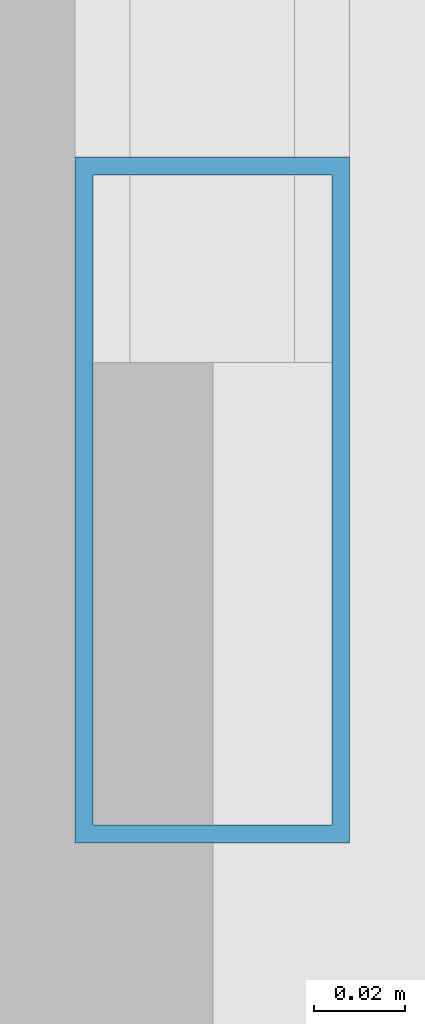
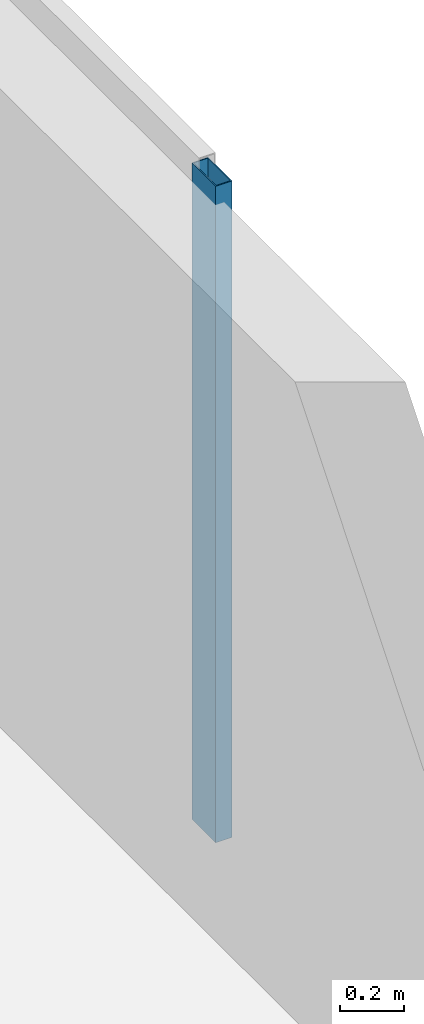
# One storey, part 2 of 10: 1 member, 1 element without a shape of its own.
"""IFC4 building model written with IfcOpenShell, lengths in metres."""

import ifcopenshell
import ifcopenshell.guid

model = None  # the IFC model being written
_history = None  # IfcOwnerHistory: only IFC2X3 demands one
_inside = {}  # id of a spatial element -> (the spatial element, [elements in it])
_under = {}  # id of a project, library or spatial element -> (it, [spatial elements below it])
_declared = {}  # id of a project -> (the project, [libraries it declares])
_typed = {}  # id of a type object -> (the type object, [elements of that type])
_made_of = {}  # id of a material, layer set ... -> (it, [elements and type objects made of it])


def new_model(schema):
    """Start an empty IFC model of exactly this schema.

    Asked for "IFC4X3", IfcOpenShell would pick the latest addendum, in which some entities
    have other attributes; the version numbers below select the first issue.
    IFC2X3 requires an IfcOwnerHistory on every rooted entity: one is made here for all.
    """
    global model, _history
    if schema == "IFC4X3":
        model = ifcopenshell.file(schema_version=(4, 3, 0, 0))
    else:
        model = ifcopenshell.file(schema=schema)
    _inside.clear()
    _under.clear()
    _declared.clear()
    _typed.clear()
    _made_of.clear()
    _history = None
    if model.schema == "IFC2X3":
        org = make("IfcOrganization", Name="unknown")
        user = make(
            "IfcPersonAndOrganization",
            ThePerson=make("IfcPerson", FamilyName="unknown"),
            TheOrganization=org,
        )
        app = make(
            "IfcApplication",
            ApplicationDeveloper=org,
            Version="unknown",
            ApplicationFullName="unknown",
            ApplicationIdentifier="unknown",
        )
        _history = make(
            "IfcOwnerHistory",
            OwningUser=user,
            OwningApplication=app,
            ChangeAction="ADDED",
            CreationDate=0,
        )
    return model


def make(cls, **values):
    """One entity of the class cls with the attributes given. An attribute that is None is left unset."""
    return model.create_entity(
        cls, **{name: value for name, value in values.items() if value is not None}
    )


def rooted(cls, **values):
    """An entity with a GlobalId (a new one), such as an element, a storey or a relation."""
    return make(cls, GlobalId=ifcopenshell.guid.new(), OwnerHistory=_history, **values)


def si_unit(unit_type, name, prefix=None):
    """IfcSIUnit, for example si_unit("LENGTHUNIT", "METRE", prefix="MILLI")."""
    return make("IfcSIUnit", UnitType=unit_type, Prefix=prefix, Name=name)


def assignment(units):
    """IfcUnitAssignment: the units of a project."""
    return None if units is None else make("IfcUnitAssignment", Units=units)


def point(xyz):
    """IfcCartesianPoint."""
    return None if xyz is None else make("IfcCartesianPoint", Coordinates=xyz)


def direction(xyz):
    """IfcDirection."""
    return None if xyz is None else make("IfcDirection", DirectionRatios=xyz)


def frame(location, z_axis=None, x_axis=None):
    """IfcAxis2Placement3D, a coordinate frame: its origin and axes. An axis left out is left unset."""
    return make(
        "IfcAxis2Placement3D",
        Location=point(location),
        Axis=direction(z_axis),
        RefDirection=direction(x_axis),
    )


def frame_2d(location, x_axis=None):
    """IfcAxis2Placement2D, a coordinate frame in the plane: its origin and x axis."""
    return make(
        "IfcAxis2Placement2D", Location=point(location), RefDirection=direction(x_axis)
    )


def origin():
    """The frame at (0, 0, 0) with its axes left unset."""
    return frame((0.0, 0.0, 0.0))


def origin_2d():
    """The frame at (0, 0) in the plane with its x axis left unset."""
    return frame_2d((0.0, 0.0))


def place(relative_to, where):
    """IfcLocalPlacement: puts the frame where relative to a parent placement (None: the world)."""
    return make(
        "IfcLocalPlacement", PlacementRelTo=relative_to, RelativePlacement=where
    )


def context(
    kind, dimensions, precision=None, world=None, true_north=None, identifier=None
):
    """IfcGeometricRepresentationContext, for example the 3D "Model" context."""
    return make(
        "IfcGeometricRepresentationContext",
        ContextIdentifier=identifier,
        ContextType=kind,
        CoordinateSpaceDimension=dimensions,
        Precision=precision,
        WorldCoordinateSystem=world,
        TrueNorth=true_north,
    )


def subcontext(parent, identifier, kind, view, scale=None):
    """IfcGeometricRepresentationSubContext, for example "Body" below "Model"."""
    return make(
        "IfcGeometricRepresentationSubContext",
        ContextIdentifier=identifier,
        ContextType=kind,
        ParentContext=parent,
        TargetScale=scale,
        TargetView=view,
    )


def project(units=None, contexts=None):
    """IfcProject with its units and contexts."""
    return rooted(
        "IfcProject",
        Name="project",
        RepresentationContexts=contexts,
        UnitsInContext=assignment(units),
    )


def spatial(cls, under=None, at=None, **own):
    """A site, building, storey or space (cls), placed at a placement, below another one or the project."""
    s = rooted(cls, ObjectPlacement=at, **own)
    if under is not None:
        _under.setdefault(under.id(), (under, []))[1].append(s)
    return s


def profile(cls, at=None, kind="AREA", **sizes):
    """A parametric profile (cls). Its sizes go by their IFC names, for example OverallWidth=200.0."""
    return make(cls, ProfileType=kind, Position=at, **sizes)


def hollow_rectangle(**sizes):
    """IfcRectangleHollowProfileDef."""
    return profile("IfcRectangleHollowProfileDef", **sizes)


def extrude(swept, where, along, depth):
    """IfcExtrudedAreaSolid: the profile swept, set in the frame where, extruded along a direction by depth."""
    return make(
        "IfcExtrudedAreaSolid",
        SweptArea=swept,
        Position=where,
        ExtrudedDirection=direction(along),
        Depth=depth,
    )


def shape(context_of_items, identifier, shape_type, items):
    """IfcShapeRepresentation: the items that make up one representation, for example the "Body"."""
    return make(
        "IfcShapeRepresentation",
        ContextOfItems=context_of_items,
        RepresentationIdentifier=identifier,
        RepresentationType=shape_type,
        Items=items,
    )


def material(Name=None, Category=None):
    """IfcMaterial."""
    return make("IfcMaterial", Name=Name, Category=Category)


def material_profile(
    of_material, cross_section, Name=None, Category=None, Priority=None
):
    """IfcMaterialProfile: a cross section and its material."""
    return make(
        "IfcMaterialProfile",
        Name=Name,
        Material=of_material,
        Profile=cross_section,
        Priority=Priority,
        Category=Category,
    )


def profile_set(profiles, Name=None, composite=None):
    """IfcMaterialProfileSet."""
    return make(
        "IfcMaterialProfileSet",
        Name=Name,
        MaterialProfiles=profiles,
        CompositeProfile=composite,
    )


def made_of(thing, what):
    """Note that an element or type object is made of a material, layer set ...; save() writes the relation."""
    if what is not None:
        _made_of.setdefault(what.id(), (what, []))[1].append(thing)
    return thing


def type_object(cls, material=None, **own):
    """A type object (cls), such as IfcWallType, which elements share."""
    return made_of(rooted(cls, **own), material)


def element(
    cls,
    number,
    at=None,
    inside=None,
    cuts=None,
    type_object=None,
    material=None,
    context=None,
    identifier="Body",
    shape_type=None,
    held_by="IfcProductDefinitionShape",
    body=None,
    shapes=None,
    **own,
):
    """One element of the class cls, such as IfcWall. Its Tag is "e" and its number.

    at: its placement. inside: the storey or other place that contains it. cuts: it is an
    opening in that element (IfcRelVoidsElement). A single representation is given by context,
    identifier, shape_type and body (its items); several are given by shapes. held_by: the class
    of the entity that holds the representations. save() writes the other relations.
    """
    e = rooted(cls, Tag="e%d" % number, ObjectPlacement=at, **own)
    if body is not None:
        shapes = [shape(context, identifier, shape_type, body)]
    if shapes is not None:
        e.Representation = make(held_by, Representations=shapes)
    if inside is not None:
        _inside.setdefault(inside.id(), (inside, []))[1].append(e)
    if cuts is not None:
        rooted(
            "IfcRelVoidsElement", RelatingBuildingElement=cuts, RelatedOpeningElement=e
        )
    if type_object is not None:
        _typed.setdefault(type_object.id(), (type_object, []))[1].append(e)
    return made_of(e, material)


def aggregate(whole, parts):
    """IfcRelAggregates: a whole, such as a stair, and the parts it consists of."""
    return rooted("IfcRelAggregates", RelatingObject=whole, RelatedObjects=parts)


def save(model, path):
    """Write the relations noted so far, then the file.

    IfcRelAggregates (storeys below a building ...), IfcRelContainedInSpatialStructure (elements
    in a storey), IfcRelDefinesByType, IfcRelAssociatesMaterial and IfcRelDeclares: one each for
    every whole, place, type object, material and project.
    """
    for whole, parts in _under.values():
        aggregate(whole, parts)
    for where, things in _inside.values():
        rooted(
            "IfcRelContainedInSpatialStructure",
            RelatedElements=things,
            RelatingStructure=where,
        )
    for kind, things in _typed.values():
        rooted("IfcRelDefinesByType", RelatedObjects=things, RelatingType=kind)
    for what, things in _made_of.values():
        rooted("IfcRelAssociatesMaterial", RelatedObjects=things, RelatingMaterial=what)
    for by, libraries in _declared.values():
        rooted("IfcRelDeclares", RelatingContext=by, RelatedDefinitions=libraries)
    model.write(path)


model = new_model("IFC4")

# Units and contexts
model_context = context("Model", 3, precision=1e-05, world=origin(), true_north=direction((0.0, 1.0)))
body_context = subcontext(model_context, "Body", "Model", "MODEL_VIEW")
ifc_project = project(units=[si_unit("LENGTHUNIT", "METRE"), si_unit("AREAUNIT", "SQUARE_METRE"), si_unit("VOLUMEUNIT", "CUBIC_METRE"), si_unit("PLANEANGLEUNIT", "RADIAN"), si_unit("MASSUNIT", "GRAM", prefix="KILO")], contexts=[model_context])

# Site, building, storey
site_placement = place(None, origin())
site = spatial("IfcSite", under=ifc_project, at=site_placement, CompositionType="ELEMENT")
building_placement = place(site_placement, origin())
building = spatial("IfcBuilding", under=site, at=building_placement, Name="Kuzgunbayir Cultural Tower", CompositionType="ELEMENT")
storey_placement = place(building_placement, frame((0.0, 0.0, 163.199951171875)))
storey = spatial("IfcBuildingStorey", under=building, at=storey_placement, Name="L47", CompositionType="ELEMENT", Elevation=163.199951171875)

# Curtain wall, member
ifc_material = material(Name="Anodised Aluminium Framing", Category="aluminium")
curtain_wall_type = type_object("IfcCurtainWallType", Name="CW02-PORTAL-SOFFIT", PredefinedType="NOTDEFINED", material=ifc_material)
curtain_wall_placement = place(storey_placement, origin())
curtain_wall = element("IfcCurtainWall", 1, at=curtain_wall_placement, inside=storey, type_object=curtain_wall_type, Name="L47 Wind-Portal Aperture Curtain Wall", PredefinedType="NOTDEFINED")
ifc_material_profile = material_profile(ifc_material, hollow_rectangle(XDim=0.06005859375, YDim=0.14990234375, WallThickness=0.00390625, at=origin_2d()), Name="RHS 150x60x4")
ifc_profile_set = profile_set([ifc_material_profile], Name="Anodised Aluminium Framing")
member_type = type_object("IfcMemberType", Name="MEM-CW-MULLION-150", PredefinedType="MULLION", material=ifc_profile_set)
member_placement = place(storey_placement, frame((31.14990234375, 34.22998046875, 0.0), z_axis=(0.0, 0.0, 1.0), x_axis=(-1.0, 0.0, 0.0)))
member = element("IfcMember", 2, at=member_placement, type_object=member_type, Name="CW02 mullion 1", PredefinedType="MULLION", context=body_context, shape_type="SweptSolid", body=[
    extrude(hollow_rectangle(XDim=0.06005859375, YDim=0.14990234375, WallThickness=0.00390625, at=origin_2d()), origin(), (0.0, 0.0, 1.0), 2.52001953125),
])
aggregate(curtain_wall, [member])

save(model, "model.ifc")
